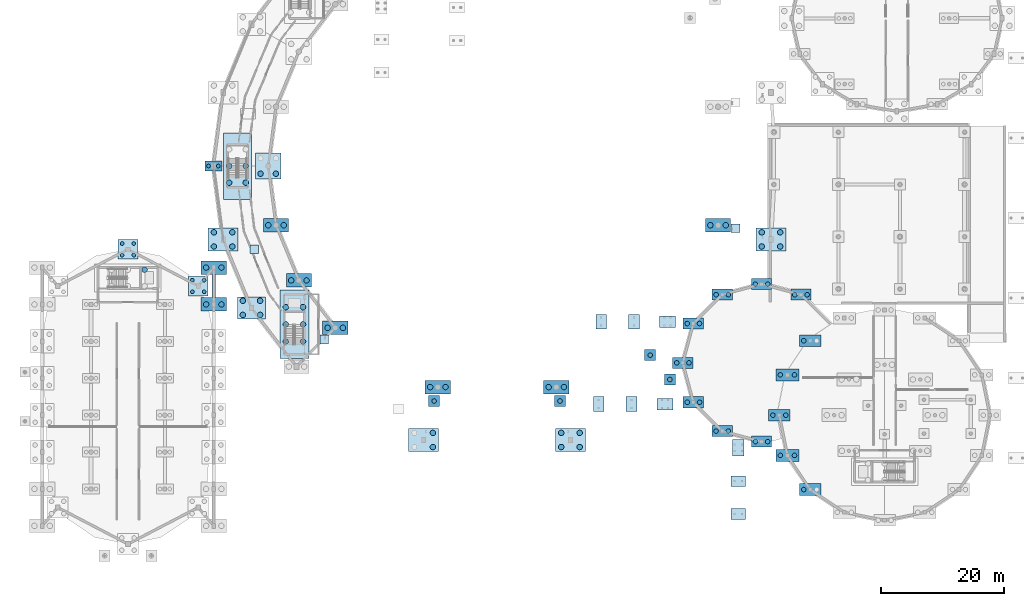
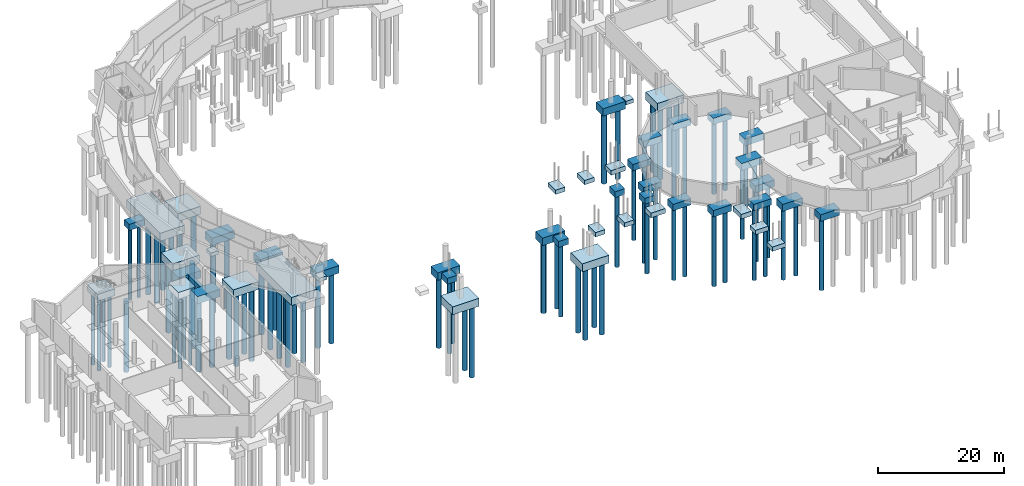
# One storey, part 2 of 43: 85 piles, 49 footings.
"""IFC4 building model written with IfcOpenShell, lengths in metres."""

from ifc_helpers import new_model, si_unit, direction, frame, origin, origin_2d, place, context, subcontext, project, spatial, rectangle, circle, extrude, material, material_profile, profile_set, type_object, element, save


model = new_model("IFC4")

# Units and contexts
model_context = context("Model", 3, precision=1e-05, world=origin(), true_north=direction((0.0, 1.0)))
body_context = subcontext(model_context, "Body", "Model", "MODEL_VIEW")
ifc_project = project(units=[si_unit("LENGTHUNIT", "METRE"), si_unit("AREAUNIT", "SQUARE_METRE"), si_unit("VOLUMEUNIT", "CUBIC_METRE"), si_unit("PLANEANGLEUNIT", "RADIAN"), si_unit("MASSUNIT", "GRAM", prefix="KILO")], contexts=[model_context])

# Site, building, storey
site_placement = place(None, origin())
site = spatial("IfcSite", under=ifc_project, at=site_placement, CompositionType="ELEMENT")
building_placement = place(site_placement, origin())
building = spatial("IfcBuilding", under=site, at=building_placement, Name="Vespera Passage Community Centre", CompositionType="ELEMENT")
storey_placement = place(building_placement, frame((0.0, 0.0, -4.199951171875)))
storey = spatial("IfcBuildingStorey", under=building, at=storey_placement, Name="B1", CompositionType="ELEMENT", Elevation=-4.199951171875)

# Footing
ifc_material_1 = material(Name="Concrete f'c 35 MPa", Category="concrete")
footing_type_1 = type_object("IfcFootingType", Name="FB-03", PredefinedType="FOOTING_BEAM", material=ifc_material_1)
footing_1_placement = place(storey_placement, frame((31.949951171875, 46.0, -0.89990234375), z_axis=(0.0, 0.0, 1.0), x_axis=(0.0, 1.0, 0.0)))
element("IfcFooting", 1, at=footing_1_placement, inside=storey, type_object=footing_type_1, Name="V1 E Wall Strip Footing 7", PredefinedType="FOOTING_BEAM", context=body_context, shape_type="SweptSolid", body=[
    extrude(rectangle(XDim=3.77001953125, YDim=0.60009765625, at=origin_2d()), origin(), (0.0, 0.0, 1.0), 0.89990234375),
])

# Piles
ifc_material_2 = material(Name="Concrete f'c 45 MPa", Category="concrete")
ifc_material_profile_1 = material_profile(ifc_material_2, circle(Radius=0.300048828125, at=origin_2d()), Name="PILE600DIA")
ifc_profile_set_1 = profile_set([ifc_material_profile_1], Name="Concrete f'c 45 MPa")
pile_type_1 = type_object("IfcPileType", Name="P-600", PredefinedType="BORED", material=ifc_profile_set_1)
for number, where, z_axis, x_axis, name in (
    (2, (28.477294921875, 45.051513671875, -1.199951171875), (0.0, 0.0, -1.0), (1.0, 0.0, 0.0), "Column V1-AN1 Bored Pile 1"),
    (3, (30.377197265625, 45.051513671875, -1.199951171875), (0.0, 0.0, -1.0), (1.0, 0.0, 0.0), "Column V1-AN1 Bored Pile 2"),
    (4, (28.477294921875, 46.951416015625, -1.199951171875), (0.0, 0.0, -1.0), (1.0, 0.0, 0.0), "Column V1-AN1 Bored Pile 3"),
    (5, (30.377197265625, 46.951416015625, -1.199951171875), (0.0, 0.0, -1.0), (1.0, 0.0, 0.0), "Column V1-AN1 Bored Pile 4"),
    (6, (17.050048828125, 51.0, -1.199951171875), (0.0, 0.0, -1.0), (1.0, 0.0, 0.0), "Column V1-AN2 Bored Pile 1"),
    (7, (18.949951171875, 51.0, -1.199951171875), (0.0, 0.0, -1.0), (1.0, 0.0, 0.0), "Column V1-AN2 Bored Pile 2"),
    (8, (17.050048828125, 52.89990234375, -1.199951171875), (0.0, 0.0, -1.0), (1.0, 0.0, 0.0), "Column V1-AN2 Bored Pile 3"),
    (9, (18.949951171875, 52.89990234375, -1.199951171875), (0.0, 0.0, -1.0), (1.0, 0.0, 0.0), "Column V1-AN2 Bored Pile 4"),
):
    element("IfcPile", number, at=place(storey_placement, frame(where, z_axis=z_axis, x_axis=x_axis)), inside=storey, type_object=pile_type_1, Name=name, PredefinedType="BORED", context=body_context, shape_type="SweptSolid", body=[
        extrude(circle(Radius=0.300048828125, at=origin_2d()), origin(), (0.0, 0.0, 1.0), 14.10009765625),
    ])
for number, where, z_axis, x_axis, name in (
    (10, (31.10009765625, 65.5, -1.10009765625), (0.0, 0.0, -1.0), (1.0, 0.0, 0.0), "Column V4-O12 Bored Pile 1"),
    (11, (32.699951171875, 65.5, -1.10009765625), (0.0, 0.0, -1.0), (1.0, 0.0, 0.0), "Column V4-O12 Bored Pile 2"),
):
    element("IfcPile", number, at=place(storey_placement, frame(where, z_axis=z_axis, x_axis=x_axis)), inside=storey, type_object=pile_type_1, Name=name, PredefinedType="BORED", context=body_context, shape_type="SweptSolid", body=[
        extrude(circle(Radius=0.300048828125, at=origin_2d()), origin(), (0.0, 0.0, 1.0), 14.199951171875),
    ])
ifc_material_3 = material(Name="Concrete f'c 45 MPa", Category="concrete")
ifc_material_profile_2 = material_profile(ifc_material_3, circle(Radius=0.375, at=origin_2d()), Name="PILE750DIA")
ifc_profile_set_2 = profile_set([ifc_material_profile_2], Name="Concrete f'c 45 MPa")
pile_type_2 = type_object("IfcPileType", Name="P-750", PredefinedType="BORED", material=ifc_profile_set_2)
pile_1_placement = place(storey_placement, frame((127.8583984375, 37.091552734375, -1.199951171875), z_axis=(0.0, 0.0, -1.0), x_axis=(1.0, 0.0, 0.0)))
element("IfcPile", 12, at=pile_1_placement, inside=storey, type_object=pile_type_2, Name="Column V3-P07 Bored Pile 1", PredefinedType="BORED", context=body_context, shape_type="SweptSolid", body=[
    extrude(circle(Radius=0.375, at=origin_2d()), origin(), (0.0, 0.0, 1.0), 14.10009765625),
])
for number, where, z_axis, x_axis, name in (
    (13, (124.0517578125, 31.5439453125, -1.25), (0.0, 0.0, -1.0), (1.0, 0.0, 0.0), "Column V3-P08 Bored Pile 1"),
    (14, (126.351806640625, 31.5439453125, -1.25), (0.0, 0.0, -1.0), (1.0, 0.0, 0.0), "Column V3-P08 Bored Pile 2"),
):
    element("IfcPile", number, at=place(storey_placement, frame(where, z_axis=z_axis, x_axis=x_axis)), inside=storey, type_object=pile_type_2, Name=name, PredefinedType="BORED", context=body_context, shape_type="SweptSolid", body=[
        extrude(circle(Radius=0.375, at=origin_2d()), origin(), (0.0, 0.0, 1.0), 14.050048828125),
    ])
for number, where, z_axis, x_axis, name in (
    (15, (122.85009765625, 25.0, -1.199951171875), (0.0, 0.0, -1.0), (1.0, 0.0, 0.0), "Column V3-P09 Bored Pile 1"),
    (16, (124.949951171875, 25.0, -1.199951171875), (0.0, 0.0, -1.0), (1.0, 0.0, 0.0), "Column V3-P09 Bored Pile 2"),
):
    element("IfcPile", number, at=place(storey_placement, frame(where, z_axis=z_axis, x_axis=x_axis)), inside=storey, type_object=pile_type_2, Name=name, PredefinedType="BORED", context=body_context, shape_type="SweptSolid", body=[
        extrude(circle(Radius=0.375, at=origin_2d()), origin(), (0.0, 0.0, 1.0), 14.10009765625),
    ])
for number, where, z_axis, x_axis, name in (
    (17, (124.0517578125, 18.4560546875, -1.25), (0.0, 0.0, -1.0), (1.0, 0.0, 0.0), "Column V3-P10 Bored Pile 1"),
    (18, (126.351806640625, 18.4560546875, -1.25), (0.0, 0.0, -1.0), (1.0, 0.0, 0.0), "Column V3-P10 Bored Pile 2"),
):
    element("IfcPile", number, at=place(storey_placement, frame(where, z_axis=z_axis, x_axis=x_axis)), inside=storey, type_object=pile_type_2, Name=name, PredefinedType="BORED", context=body_context, shape_type="SweptSolid", body=[
        extrude(circle(Radius=0.375, at=origin_2d()), origin(), (0.0, 0.0, 1.0), 14.050048828125),
    ])
pile_2_placement = place(storey_placement, frame((127.8583984375, 12.908447265625, -1.199951171875), z_axis=(0.0, 0.0, -1.0), x_axis=(1.0, 0.0, 0.0)))
element("IfcPile", 19, at=pile_2_placement, inside=storey, type_object=pile_type_2, Name="Column V3-P11 Bored Pile 1", PredefinedType="BORED", context=body_context, shape_type="SweptSolid", body=[
    extrude(circle(Radius=0.375, at=origin_2d()), origin(), (0.0, 0.0, 1.0), 14.10009765625),
])
for number, where, z_axis, x_axis, name in (
    (20, (67.763671875, 27.297607421875, -1.050048828125), (0.0, 0.0, -1.0), (1.0, 0.0, 0.0), "Column TRANC-I170 Bored Pile 1"),
    (21, (88.236328125, 27.297607421875, -1.050048828125), (0.0, 0.0, -1.0), (1.0, 0.0, 0.0), "Column TRANC-I190 Bored Pile 1"),
    (22, (102.8896484375, 34.763916015625, -1.050048828125), (0.0, 0.0, -1.0), (1.0, 0.0, 0.0), "Column TRANC-I206 Bored Pile 1"),
    (23, (106.09912109375, 30.80029296875, -1.050048828125), (0.0, 0.0, -1.0), (1.0, 0.0, 0.0), "Column TRANC-O206 Bored Pile 1"),
):
    element("IfcPile", number, at=place(storey_placement, frame(where, z_axis=z_axis, x_axis=x_axis)), inside=storey, type_object=pile_type_2, Name=name, PredefinedType="BORED", context=body_context, shape_type="SweptSolid", body=[
        extrude(circle(Radius=0.375, at=origin_2d()), origin(), (0.0, 0.0, 1.0), 14.25),
    ])
for number, where, z_axis, x_axis, name in (
    (24, (126.39990234375, 44.585205078125, -1.150146484375), (0.0, 0.0, -1.0), (1.0, 0.0, 0.0), "Column V3A-P03 Bored Pile 1"),
    (25, (128.39990234375, 44.585205078125, -1.150146484375), (0.0, 0.0, -1.0), (1.0, 0.0, 0.0), "Column V3A-P03 Bored Pile 2"),
    (26, (120.0, 46.300048828125, -1.150146484375), (0.0, 0.0, -1.0), (1.0, 0.0, 0.0), "Column V3A-P04 Bored Pile 1"),
    (27, (122.0, 46.300048828125, -1.150146484375), (0.0, 0.0, -1.0), (1.0, 0.0, 0.0), "Column V3A-P04 Bored Pile 2"),
    (28, (113.60009765625, 44.585205078125, -1.150146484375), (0.0, 0.0, -1.0), (1.0, 0.0, 0.0), "Column V3A-P05 Bored Pile 1"),
    (29, (115.60009765625, 44.585205078125, -1.150146484375), (0.0, 0.0, -1.0), (1.0, 0.0, 0.0), "Column V3A-P05 Bored Pile 2"),
    (30, (108.914794921875, 39.89990234375, -1.150146484375), (0.0, 0.0, -1.0), (1.0, 0.0, 0.0), "Column V3A-P06 Bored Pile 1"),
    (31, (110.914794921875, 39.89990234375, -1.150146484375), (0.0, 0.0, -1.0), (1.0, 0.0, 0.0), "Column V3A-P06 Bored Pile 2"),
    (32, (107.199951171875, 33.5, -1.150146484375), (0.0, 0.0, -1.0), (1.0, 0.0, 0.0), "Column V3A-P07 Bored Pile 1"),
    (33, (109.199951171875, 33.5, -1.150146484375), (0.0, 0.0, -1.0), (1.0, 0.0, 0.0), "Column V3A-P07 Bored Pile 2"),
    (34, (108.914794921875, 27.10009765625, -1.150146484375), (0.0, 0.0, -1.0), (1.0, 0.0, 0.0), "Column V3A-P08 Bored Pile 1"),
    (35, (110.914794921875, 27.10009765625, -1.150146484375), (0.0, 0.0, -1.0), (1.0, 0.0, 0.0), "Column V3A-P08 Bored Pile 2"),
    (36, (113.60009765625, 22.414794921875, -1.150146484375), (0.0, 0.0, -1.0), (1.0, 0.0, 0.0), "Column V3A-P09 Bored Pile 1"),
    (37, (115.60009765625, 22.414794921875, -1.150146484375), (0.0, 0.0, -1.0), (1.0, 0.0, 0.0), "Column V3A-P09 Bored Pile 2"),
    (38, (120.0, 20.699951171875, -1.150146484375), (0.0, 0.0, -1.0), (1.0, 0.0, 0.0), "Column V3A-P10 Bored Pile 1"),
    (39, (122.0, 20.699951171875, -1.150146484375), (0.0, 0.0, -1.0), (1.0, 0.0, 0.0), "Column V3A-P10 Bored Pile 2"),
):
    element("IfcPile", number, at=place(storey_placement, frame(where, z_axis=z_axis, x_axis=x_axis)), inside=storey, type_object=pile_type_2, Name=name, PredefinedType="BORED", context=body_context, shape_type="SweptSolid", body=[
        extrude(circle(Radius=0.375, at=origin_2d()), origin(), (0.0, 0.0, 1.0), 14.14990234375),
    ])
ifc_material_4 = material(Name="Concrete f'c 45 MPa", Category="concrete")
ifc_material_profile_3 = material_profile(ifc_material_4, circle(Radius=0.449951171875, at=origin_2d()), Name="PILE900DIA")
ifc_profile_set_3 = profile_set([ifc_material_profile_3], Name="Concrete f'c 45 MPa")
pile_type_3 = type_object("IfcPileType", Name="P-900", PredefinedType="BORED", material=ifc_profile_set_3)
for number, where, z_axis, x_axis, name in (
    (40, (37.14990234375, 62.800048828125, -1.449951171875), (0.0, 0.0, -1.0), (1.0, 0.0, 0.0), "Core C2 Bored Pile 1"),
    (41, (37.14990234375, 65.5, -1.449951171875), (0.0, 0.0, -1.0), (1.0, 0.0, 0.0), "Core C2 Bored Pile 2"),
    (42, (34.449951171875, 62.800048828125, -1.449951171875), (0.0, 0.0, -1.0), (1.0, 0.0, 0.0), "Core C2 Bored Pile 4"),
    (43, (34.449951171875, 65.5, -1.449951171875), (0.0, 0.0, -1.0), (1.0, 0.0, 0.0), "Core C2 Bored Pile 5"),
):
    element("IfcPile", number, at=place(storey_placement, frame(where, z_axis=z_axis, x_axis=x_axis)), inside=storey, type_object=pile_type_3, Name=name, PredefinedType="BORED", context=body_context, shape_type="SweptSolid", body=[
        extrude(circle(Radius=0.449951171875, at=origin_2d()), origin(), (0.0, 0.0, 1.0), 13.85009765625),
    ])
for number, where, z_axis, x_axis, name in (
    (44, (46.4609375, 36.965087890625, -1.5), (0.0, 0.0, -1.0), (1.0, 0.0, 0.0), "Core C3 Bored Pile 1"),
    (45, (46.4609375, 39.764892578125, -1.5), (0.0, 0.0, -1.0), (1.0, 0.0, 0.0), "Core C3 Bored Pile 2"),
    (46, (46.4609375, 42.56494140625, -1.5), (0.0, 0.0, -1.0), (1.0, 0.0, 0.0), "Core C3 Bored Pile 3"),
    (47, (43.660888671875, 36.965087890625, -1.5), (0.0, 0.0, -1.0), (1.0, 0.0, 0.0), "Core C3 Bored Pile 4"),
    (48, (43.660888671875, 39.764892578125, -1.5), (0.0, 0.0, -1.0), (1.0, 0.0, 0.0), "Core C3 Bored Pile 5"),
    (49, (43.660888671875, 42.56494140625, -1.5), (0.0, 0.0, -1.0), (1.0, 0.0, 0.0), "Core C3 Bored Pile 6"),
):
    element("IfcPile", number, at=place(storey_placement, frame(where, z_axis=z_axis, x_axis=x_axis)), inside=storey, type_object=pile_type_3, Name=name, PredefinedType="BORED", context=body_context, shape_type="SweptSolid", body=[
        extrude(circle(Radius=0.449951171875, at=origin_2d()), origin(), (0.0, 0.0, 1.0), 13.800048828125),
    ])
pile_3_placement = place(storey_placement, frame((20.699951171875, 48.64990234375, -1.449951171875), z_axis=(0.0, 0.0, -1.0), x_axis=(1.0, 0.0, 0.0)))
element("IfcPile", 50, at=pile_3_placement, inside=storey, type_object=pile_type_3, Name="Core C5 Bored Pile 6", PredefinedType="BORED", context=body_context, shape_type="SweptSolid", body=[
    extrude(circle(Radius=0.449951171875, at=origin_2d()), origin(), (0.0, 0.0, 1.0), 13.85009765625),
])
for number, where, z_axis, x_axis, name in (
    (51, (30.699951171875, 43.0, -1.35009765625), (0.0, 0.0, -1.0), (1.0, 0.0, 0.0), "Column V1-E7 Bored Pile 1"),
    (52, (33.199951171875, 43.0, -1.35009765625), (0.0, 0.0, -1.0), (1.0, 0.0, 0.0), "Column V1-E7 Bored Pile 2"),
    (53, (30.699951171875, 49.0, -1.35009765625), (0.0, 0.0, -1.0), (1.0, 0.0, 0.0), "Column V1-E8 Bored Pile 1"),
    (54, (33.199951171875, 49.0, -1.35009765625), (0.0, 0.0, -1.0), (1.0, 0.0, 0.0), "Column V1-E8 Bored Pile 2"),
):
    element("IfcPile", number, at=place(storey_placement, frame(where, z_axis=z_axis, x_axis=x_axis)), inside=storey, type_object=pile_type_3, Name=name, PredefinedType="BORED", context=body_context, shape_type="SweptSolid", body=[
        extrude(circle(Radius=0.449951171875, at=origin_2d()), origin(), (0.0, 0.0, 1.0), 13.949951171875),
    ])
for number, where, z_axis, x_axis, name in (
    (55, (39.550048828125, 64.25, -1.449951171875), (0.0, 0.0, -1.0), (1.0, 0.0, 0.0), "Column V4-I12 Bored Pile 1"),
    (56, (42.050048828125, 64.25, -1.449951171875), (0.0, 0.0, -1.0), (1.0, 0.0, 0.0), "Column V4-I12 Bored Pile 2"),
):
    element("IfcPile", number, at=place(storey_placement, frame(where, z_axis=z_axis, x_axis=x_axis)), inside=storey, type_object=pile_type_3, Name=name, PredefinedType="BORED", context=body_context, shape_type="SweptSolid", body=[
        extrude(circle(Radius=0.449951171875, at=origin_2d()), origin(), (0.0, 0.0, 1.0), 13.85009765625),
    ])
for number, where, z_axis, x_axis, name in (
    (57, (40.817626953125, 55.871826171875, -1.35009765625), (0.0, 0.0, -1.0), (1.0, 0.0, 0.0), "Column V4-I13 Bored Pile 1"),
    (58, (43.317626953125, 55.871826171875, -1.35009765625), (0.0, 0.0, -1.0), (1.0, 0.0, 0.0), "Column V4-I13 Bored Pile 2"),
    (59, (44.533935546875, 46.89990234375, -1.35009765625), (0.0, 0.0, -1.0), (1.0, 0.0, 0.0), "Column V4-I14 Bored Pile 1"),
    (60, (47.033935546875, 46.89990234375, -1.35009765625), (0.0, 0.0, -1.0), (1.0, 0.0, 0.0), "Column V4-I14 Bored Pile 2"),
    (61, (50.445556640625, 39.195556640625, -1.35009765625), (0.0, 0.0, -1.0), (1.0, 0.0, 0.0), "Column V4-I15 Bored Pile 1"),
    (62, (52.945556640625, 39.195556640625, -1.35009765625), (0.0, 0.0, -1.0), (1.0, 0.0, 0.0), "Column V4-I15 Bored Pile 2"),
    (63, (67.121826171875, 29.567626953125, -1.35009765625), (0.0, 0.0, -1.0), (1.0, 0.0, 0.0), "Column V4-I17 Bored Pile 1"),
    (64, (69.621826171875, 29.567626953125, -1.35009765625), (0.0, 0.0, -1.0), (1.0, 0.0, 0.0), "Column V4-I17 Bored Pile 2"),
    (65, (86.378173828125, 29.567626953125, -1.35009765625), (0.0, 0.0, -1.0), (1.0, 0.0, 0.0), "Column V4-I19 Bored Pile 1"),
    (66, (88.878173828125, 29.567626953125, -1.35009765625), (0.0, 0.0, -1.0), (1.0, 0.0, 0.0), "Column V4-I19 Bored Pile 2"),
    (67, (112.682373046875, 55.871826171875, -1.35009765625), (0.0, 0.0, -1.0), (1.0, 0.0, 0.0), "Column V4-I23 Bored Pile 1"),
    (68, (115.182373046875, 55.871826171875, -1.35009765625), (0.0, 0.0, -1.0), (1.0, 0.0, 0.0), "Column V4-I23 Bored Pile 2"),
):
    element("IfcPile", number, at=place(storey_placement, frame(where, z_axis=z_axis, x_axis=x_axis)), inside=storey, type_object=pile_type_3, Name=name, PredefinedType="BORED", context=body_context, shape_type="SweptSolid", body=[
        extrude(circle(Radius=0.449951171875, at=origin_2d()), origin(), (0.0, 0.0, 1.0), 13.949951171875),
    ])
for number, where, z_axis, x_axis, name in (
    (69, (31.970703125, 52.41845703125, -1.449951171875), (0.0, 0.0, -1.0), (1.0, 0.0, 0.0), "Column V4-O13 Bored Pile 1"),
    (70, (34.970703125, 52.41845703125, -1.449951171875), (0.0, 0.0, -1.0), (1.0, 0.0, 0.0), "Column V4-O13 Bored Pile 2"),
    (71, (31.970703125, 54.718505859375, -1.449951171875), (0.0, 0.0, -1.0), (1.0, 0.0, 0.0), "Column V4-O13 Bored Pile 3"),
    (72, (34.970703125, 54.718505859375, -1.449951171875), (0.0, 0.0, -1.0), (1.0, 0.0, 0.0), "Column V4-O13 Bored Pile 4"),
):
    element("IfcPile", number, at=place(storey_placement, frame(where, z_axis=z_axis, x_axis=x_axis)), inside=storey, type_object=pile_type_3, Name=name, PredefinedType="BORED", context=body_context, shape_type="SweptSolid", body=[
        extrude(circle(Radius=0.449951171875, at=origin_2d()), origin(), (0.0, 0.0, 1.0), 13.85009765625),
    ])
for number, where, z_axis, x_axis, name in (
    (73, (36.67626953125, 41.300048828125, -1.400146484375), (0.0, 0.0, -1.0), (1.0, 0.0, 0.0), "Column V4-O14 Bored Pile 1"),
    (74, (39.476318359375, 41.300048828125, -1.400146484375), (0.0, 0.0, -1.0), (1.0, 0.0, 0.0), "Column V4-O14 Bored Pile 2"),
    (75, (36.67626953125, 43.60009765625, -1.400146484375), (0.0, 0.0, -1.0), (1.0, 0.0, 0.0), "Column V4-O14 Bored Pile 3"),
    (76, (39.476318359375, 43.60009765625, -1.400146484375), (0.0, 0.0, -1.0), (1.0, 0.0, 0.0), "Column V4-O14 Bored Pile 4"),
):
    element("IfcPile", number, at=place(storey_placement, frame(where, z_axis=z_axis, x_axis=x_axis)), inside=storey, type_object=pile_type_3, Name=name, PredefinedType="BORED", context=body_context, shape_type="SweptSolid", body=[
        extrude(circle(Radius=0.449951171875, at=origin_2d()), origin(), (0.0, 0.0, 1.0), 13.89990234375),
    ])
for number, where, z_axis, x_axis, name in (
    (77, (67.568359375, 19.82080078125, -1.449951171875), (0.0, 0.0, -1.0), (1.0, 0.0, 0.0), "Column V4-O17 Bored Pile 2"),
    (78, (67.568359375, 22.120849609375, -1.449951171875), (0.0, 0.0, -1.0), (1.0, 0.0, 0.0), "Column V4-O17 Bored Pile 4"),
    (79, (88.431640625, 19.82080078125, -1.449951171875), (0.0, 0.0, -1.0), (1.0, 0.0, 0.0), "Column V4-O19 Bored Pile 1"),
    (80, (91.431640625, 19.82080078125, -1.449951171875), (0.0, 0.0, -1.0), (1.0, 0.0, 0.0), "Column V4-O19 Bored Pile 2"),
    (81, (88.431640625, 22.120849609375, -1.449951171875), (0.0, 0.0, -1.0), (1.0, 0.0, 0.0), "Column V4-O19 Bored Pile 3"),
    (82, (91.431640625, 22.120849609375, -1.449951171875), (0.0, 0.0, -1.0), (1.0, 0.0, 0.0), "Column V4-O19 Bored Pile 4"),
    (83, (121.029296875, 52.41845703125, -1.449951171875), (0.0, 0.0, -1.0), (1.0, 0.0, 0.0), "Column V4-O23 Bored Pile 1"),
    (84, (124.029296875, 52.41845703125, -1.449951171875), (0.0, 0.0, -1.0), (1.0, 0.0, 0.0), "Column V4-O23 Bored Pile 2"),
    (85, (121.029296875, 54.718505859375, -1.449951171875), (0.0, 0.0, -1.0), (1.0, 0.0, 0.0), "Column V4-O23 Bored Pile 3"),
    (86, (124.029296875, 54.718505859375, -1.449951171875), (0.0, 0.0, -1.0), (1.0, 0.0, 0.0), "Column V4-O23 Bored Pile 4"),
):
    element("IfcPile", number, at=place(storey_placement, frame(where, z_axis=z_axis, x_axis=x_axis)), inside=storey, type_object=pile_type_3, Name=name, PredefinedType="BORED", context=body_context, shape_type="SweptSolid", body=[
        extrude(circle(Radius=0.449951171875, at=origin_2d()), origin(), (0.0, 0.0, 1.0), 13.85009765625),
    ])

# Footings
ifc_material_5 = material(Name="Concrete f'c 35 MPa", Category="concrete")
footing_type_2 = type_object("IfcFootingType", Name="PC-02", PredefinedType="PILE_CAP", material=ifc_material_5)
for number, where, z_axis, x_axis, name in (
    (87, (67.763671875, 27.297607421875, -1.14990234375), (0.0, 0.0, 1.0), (1.0, 0.0, 0.0), "Column TRANC-I170 Pile Cap"),
    (88, (88.236328125, 27.297607421875, -1.14990234375), (0.0, 0.0, 1.0), (1.0, 0.0, 0.0), "Column TRANC-I190 Pile Cap"),
    (89, (102.8896484375, 34.763916015625, -1.14990234375), (0.0, 0.0, 1.0), (1.0, 0.0, 0.0), "Column TRANC-I206 Pile Cap"),
    (90, (106.09912109375, 30.80029296875, -1.14990234375), (0.0, 0.0, 1.0), (1.0, 0.0, 0.0), "Column TRANC-O206 Pile Cap"),
):
    element("IfcFooting", number, at=place(storey_placement, frame(where, z_axis=z_axis, x_axis=x_axis)), inside=storey, type_object=footing_type_2, Name=name, PredefinedType="PILE_CAP", context=body_context, shape_type="SweptSolid", body=[
        extrude(rectangle(XDim=1.800048828125, YDim=1.800048828125, at=origin_2d()), origin(), (0.0, 0.0, 1.0), 1.14990234375),
    ])
ifc_material_6 = material(Name="Concrete f'c 35 MPa", Category="concrete")
footing_type_3 = type_object("IfcFootingType", Name="PC-04", PredefinedType="PILE_CAP", material=ifc_material_6)
footing_2_placement = place(storey_placement, frame((31.89990234375, 65.5, -1.2001953125), z_axis=(0.0, 0.0, 1.0), x_axis=(1.0, 0.0, 0.0)))
element("IfcFooting", 91, at=footing_2_placement, inside=storey, type_object=footing_type_3, Name="Column V4-O12 Pile Cap", PredefinedType="PILE_CAP", context=body_context, shape_type="SweptSolid", body=[
    extrude(rectangle(XDim=2.800048828125, YDim=1.60009765625, at=origin_2d()), origin(), (0.0, 0.0, 1.0), 1.199951171875),
])
ifc_material_7 = material(Name="Concrete f'c 35 MPa", Category="concrete")
footing_type_4 = type_object("IfcFootingType", Name="PC-06", PredefinedType="PILE_CAP", material=ifc_material_7)
for number, where, z_axis, x_axis, name in (
    (92, (127.39990234375, 44.585205078125, -1.25), (0.0, 0.0, 1.0), (1.0, 0.0, 0.0), "Column V3A-P03 Pile Cap"),
    (93, (121.0, 46.300048828125, -1.25), (0.0, 0.0, 1.0), (1.0, 0.0, 0.0), "Column V3A-P04 Pile Cap"),
    (94, (114.60009765625, 44.585205078125, -1.25), (0.0, 0.0, 1.0), (1.0, 0.0, 0.0), "Column V3A-P05 Pile Cap"),
    (95, (109.914794921875, 39.89990234375, -1.25), (0.0, 0.0, 1.0), (1.0, 0.0, 0.0), "Column V3A-P06 Pile Cap"),
    (96, (108.199951171875, 33.5, -1.25), (0.0, 0.0, 1.0), (1.0, 0.0, 0.0), "Column V3A-P07 Pile Cap"),
    (97, (109.914794921875, 27.10009765625, -1.25), (0.0, 0.0, 1.0), (1.0, 0.0, 0.0), "Column V3A-P08 Pile Cap"),
    (98, (114.60009765625, 22.414794921875, -1.25), (0.0, 0.0, 1.0), (1.0, 0.0, 0.0), "Column V3A-P09 Pile Cap"),
    (99, (121.0, 20.699951171875, -1.25), (0.0, 0.0, 1.0), (1.0, 0.0, 0.0), "Column V3A-P10 Pile Cap"),
):
    element("IfcFooting", number, at=place(storey_placement, frame(where, z_axis=z_axis, x_axis=x_axis)), inside=storey, type_object=footing_type_4, Name=name, PredefinedType="PILE_CAP", context=body_context, shape_type="SweptSolid", body=[
        extrude(rectangle(XDim=3.300048828125, YDim=1.800048828125, at=origin_2d()), origin(), (0.0, 0.0, 1.0), 1.25),
    ])
ifc_material_8 = material(Name="Concrete f'c 35 MPa", Category="concrete")
footing_type_5 = type_object("IfcFootingType", Name="PC-07", PredefinedType="PILE_CAP", material=ifc_material_8)
for number, where, z_axis, x_axis, name in (
    (100, (128.908447265625, 37.091552734375, -1.30029296875), (0.0, 0.0, 1.0), (1.0, 0.0, 0.0), "Column V3-P07 Pile Cap"),
    (101, (123.89990234375, 25.0, -1.30029296875), (0.0, 0.0, 1.0), (1.0, 0.0, 0.0), "Column V3-P09 Pile Cap"),
    (102, (128.908447265625, 12.908447265625, -1.30029296875), (0.0, 0.0, 1.0), (1.0, 0.0, 0.0), "Column V3-P11 Pile Cap"),
):
    element("IfcFooting", number, at=place(storey_placement, frame(where, z_axis=z_axis, x_axis=x_axis)), inside=storey, type_object=footing_type_5, Name=name, PredefinedType="PILE_CAP", context=body_context, shape_type="SweptSolid", body=[
        extrude(rectangle(XDim=3.5, YDim=1.89990234375, at=origin_2d()), origin(), (0.0, 0.0, 1.0), 1.300048828125),
    ])
ifc_material_9 = material(Name="Concrete f'c 35 MPa", Category="concrete")
footing_type_6 = type_object("IfcFootingType", Name="PC-08", PredefinedType="PILE_CAP", material=ifc_material_9)
for number, where, z_axis, x_axis, name in (
    (103, (125.20166015625, 31.5439453125, -1.35009765625), (0.0, 0.0, 1.0), (1.0, 0.0, 0.0), "Column V3-P08 Pile Cap"),
    (104, (125.20166015625, 18.4560546875, -1.35009765625), (0.0, 0.0, 1.0), (1.0, 0.0, 0.0), "Column V3-P10 Pile Cap"),
):
    element("IfcFooting", number, at=place(storey_placement, frame(where, z_axis=z_axis, x_axis=x_axis)), inside=storey, type_object=footing_type_6, Name=name, PredefinedType="PILE_CAP", context=body_context, shape_type="SweptSolid", body=[
        extrude(rectangle(XDim=3.699951171875, YDim=2.0, at=origin_2d()), origin(), (0.0, 0.0, 1.0), 1.35009765625),
    ])
ifc_material_10 = material(Name="Concrete f'c 35 MPa", Category="concrete")
footing_type_7 = type_object("IfcFootingType", Name="PC-10", PredefinedType="PILE_CAP", material=ifc_material_10)
for number, where, z_axis, x_axis, name in (
    (105, (31.949951171875, 43.0, -1.4501953125), (0.0, 0.0, 1.0), (1.0, 0.0, 0.0), "Column V1-E7 Pile Cap"),
    (106, (31.949951171875, 49.0, -1.4501953125), (0.0, 0.0, 1.0), (1.0, 0.0, 0.0), "Column V1-E8 Pile Cap"),
    (107, (42.067626953125, 55.871826171875, -1.4501953125), (0.0, 0.0, 1.0), (1.0, 0.0, 0.0), "Column V4-I13 Pile Cap"),
    (108, (45.783935546875, 46.89990234375, -1.4501953125), (0.0, 0.0, 1.0), (1.0, 0.0, 0.0), "Column V4-I14 Pile Cap"),
    (109, (51.695556640625, 39.195556640625, -1.4501953125), (0.0, 0.0, 1.0), (1.0, 0.0, 0.0), "Column V4-I15 Pile Cap"),
    (110, (68.371826171875, 29.567626953125, -1.4501953125), (0.0, 0.0, 1.0), (1.0, 0.0, 0.0), "Column V4-I17 Pile Cap"),
    (111, (87.628173828125, 29.567626953125, -1.4501953125), (0.0, 0.0, 1.0), (1.0, 0.0, 0.0), "Column V4-I19 Pile Cap"),
    (112, (113.932373046875, 55.871826171875, -1.4501953125), (0.0, 0.0, 1.0), (1.0, 0.0, 0.0), "Column V4-I23 Pile Cap"),
):
    element("IfcFooting", number, at=place(storey_placement, frame(where, z_axis=z_axis, x_axis=x_axis)), inside=storey, type_object=footing_type_7, Name=name, PredefinedType="PILE_CAP", context=body_context, shape_type="SweptSolid", body=[
        extrude(rectangle(XDim=4.10009765625, YDim=2.199951171875, at=origin_2d()), origin(), (0.0, 0.0, 1.0), 1.449951171875),
    ])
ifc_material_11 = material(Name="Concrete f'c 35 MPa", Category="concrete")
footing_type_8 = type_object("IfcFootingType", Name="PC-11", PredefinedType="PILE_CAP", material=ifc_material_11)
for number, where, z_axis, x_axis, name in (
    (113, (29.42724609375, 46.00146484375, -1.30029296875), (0.0, 0.0, 1.0), (1.0, 0.0, 0.0), "Column V1-AN1 Pile Cap"),
    (114, (18.0, 51.949951171875, -1.30029296875), (0.0, 0.0, 1.0), (1.0, 0.0, 0.0), "Column V1-AN2 Pile Cap"),
):
    element("IfcFooting", number, at=place(storey_placement, frame(where, z_axis=z_axis, x_axis=x_axis)), inside=storey, type_object=footing_type_8, Name=name, PredefinedType="PILE_CAP", context=body_context, shape_type="SweptSolid", body=[
        extrude(rectangle(XDim=3.199951171875, YDim=3.199951171875, at=origin_2d()), origin(), (0.0, 0.0, 1.0), 1.300048828125),
    ])
ifc_material_12 = material(Name="Concrete f'c 35 MPa", Category="concrete")
footing_type_9 = type_object("IfcFootingType", Name="PC-16", PredefinedType="PILE_CAP", material=ifc_material_12)
footing_3_placement = place(storey_placement, frame((40.800048828125, 65.5, -1.55029296875), z_axis=(0.0, 0.0, 1.0), x_axis=(1.0, 0.0, 0.0)))
element("IfcFooting", 115, at=footing_3_placement, inside=storey, type_object=footing_type_9, Name="Column V4-I12 Pile Cap", PredefinedType="PILE_CAP", context=body_context, shape_type="SweptSolid", body=[
    extrude(rectangle(XDim=4.199951171875, YDim=4.199951171875, at=origin_2d()), origin(), (0.0, 0.0, 1.0), 1.550048828125),
])
ifc_material_13 = material(Name="Concrete f'c 35 MPa", Category="concrete")
footing_type_10 = type_object("IfcFootingType", Name="PC-18", PredefinedType="PILE_CAP", material=ifc_material_13)
footing_4_placement = place(storey_placement, frame((38.076171875, 42.449951171875, -1.5), z_axis=(0.0, 0.0, 1.0), x_axis=(1.0, 0.0, 0.0)))
element("IfcFooting", 116, at=footing_4_placement, inside=storey, type_object=footing_type_10, Name="Column V4-O14 Pile Cap", PredefinedType="PILE_CAP", context=body_context, shape_type="SweptSolid", body=[
    extrude(rectangle(XDim=4.60009765625, YDim=3.60009765625, at=origin_2d()), origin(), (0.0, 0.0, 1.0), 1.5),
])
ifc_material_14 = material(Name="Concrete f'c 35 MPa", Category="concrete")
footing_type_11 = type_object("IfcFootingType", Name="PC-19", PredefinedType="PILE_CAP", material=ifc_material_14)
for number, where, z_axis, x_axis, name in (
    (117, (33.470703125, 53.568359375, -1.55029296875), (0.0, 0.0, 1.0), (1.0, 0.0, 0.0), "Column V4-O13 Pile Cap"),
    (118, (66.068359375, 20.970703125, -1.55029296875), (0.0, 0.0, 1.0), (1.0, 0.0, 0.0), "Column V4-O17 Pile Cap"),
    (119, (89.931640625, 20.970703125, -1.55029296875), (0.0, 0.0, 1.0), (1.0, 0.0, 0.0), "Column V4-O19 Pile Cap"),
    (120, (122.529296875, 53.568359375, -1.55029296875), (0.0, 0.0, 1.0), (1.0, 0.0, 0.0), "Column V4-O23 Pile Cap"),
):
    element("IfcFooting", number, at=place(storey_placement, frame(where, z_axis=z_axis, x_axis=x_axis)), inside=storey, type_object=footing_type_11, Name=name, PredefinedType="PILE_CAP", context=body_context, shape_type="SweptSolid", body=[
        extrude(rectangle(XDim=4.89990234375, YDim=3.699951171875, at=origin_2d()), origin(), (0.0, 0.0, 1.0), 1.550048828125),
    ])
ifc_material_15 = material(Name="Concrete f'c 35 MPa", Category="concrete")
footing_type_12 = type_object("IfcFootingType", Name="PC-22", PredefinedType="PILE_CAP", material=ifc_material_15)
footing_5_placement = place(storey_placement, frame((35.800048828125, 65.5, -1.55029296875), z_axis=(0.0, 0.0, 1.0), x_axis=(0.0, 1.0, 0.0)))
element("IfcFooting", 121, at=footing_5_placement, inside=storey, type_object=footing_type_12, Name="Core C2 Pile Cap", PredefinedType="PILE_CAP", context=body_context, shape_type="SweptSolid", body=[
    extrude(rectangle(XDim=10.800048828125, YDim=4.5, at=origin_2d()), origin(), (0.0, 0.0, 1.0), 1.550048828125),
])
ifc_material_16 = material(Name="Concrete f'c 35 MPa", Category="concrete")
footing_type_13 = type_object("IfcFootingType", Name="PC-23", PredefinedType="PILE_CAP", material=ifc_material_16)
footing_6_placement = place(storey_placement, frame((45.06103515625, 39.764892578125, -1.60009765625), z_axis=(0.0, 0.0, 1.0), x_axis=(0.0, 1.0, 0.0)))
element("IfcFooting", 122, at=footing_6_placement, inside=storey, type_object=footing_type_13, Name="Core C3 Pile Cap", PredefinedType="PILE_CAP", context=body_context, shape_type="SweptSolid", body=[
    extrude(rectangle(XDim=11.10009765625, YDim=4.699951171875, at=origin_2d()), origin(), (0.0, 0.0, 1.0), 1.60009765625),
])
ifc_material_17 = material(Name="Concrete f'c 35 MPa", Category="concrete")
footing_type_14 = type_object("IfcFootingType", Name="PF-01", PredefinedType="PAD_FOOTING", material=ifc_material_17)
for number, where, z_axis, x_axis, name in (
    (123, (49.90380859375, 37.30859375, -0.7001953125), (0.0, 0.0, 1.0), (1.0, 0.0, 0.0), "Column TRANC-I150 Pad Footing"),
    (124, (116.7626953125, 55.413818359375, -0.7001953125), (0.0, 0.0, 1.0), (1.0, 0.0, 0.0), "Column TRANC-I230 Pad Footing"),
    (125, (38.5, 52.0, -0.7001953125), (0.0, 0.0, 1.0), (1.0, 0.0, 0.0), "B1 Equipment Pad Footing 4"),
):
    element("IfcFooting", number, at=place(storey_placement, frame(where, z_axis=z_axis, x_axis=x_axis)), inside=storey, type_object=footing_type_14, Name=name, PredefinedType="PAD_FOOTING", context=body_context, shape_type="SweptSolid", body=[
        extrude(rectangle(XDim=1.39990234375, YDim=1.39990234375, at=origin_2d()), origin(), (0.0, 0.0, 1.0), 0.699951171875),
    ])
ifc_material_18 = material(Name="Concrete f'c 35 MPa", Category="concrete")
footing_type_15 = type_object("IfcFootingType", Name="PF-05", PredefinedType="PAD_FOOTING", material=ifc_material_18)
for number, where, z_axis, x_axis, name in (
    (126, (94.52490234375, 26.800048828125, -0.85009765625), (0.0, 0.0, 1.0), (0.0, 1.0, 0.0), "ST-CRT-01 B Combined Pad Footing"),
    (127, (99.875, 26.800048828125, -0.85009765625), (0.0, 0.0, 1.0), (0.0, 1.0, 0.0), "ST-CRT-01 M Combined Pad Footing"),
    (128, (94.925048828125, 40.199951171875, -0.85009765625), (0.0, 0.0, 1.0), (0.0, 1.0, 0.0), "ST-CRT-02 B Combined Pad Footing"),
    (129, (100.27490234375, 40.199951171875, -0.85009765625), (0.0, 0.0, 1.0), (0.0, 1.0, 0.0), "ST-CRT-02 M Combined Pad Footing"),
    (130, (117.199951171875, 8.925048828125, -0.85009765625), (0.0, 0.0, 1.0), (-1.0, 0.0, 0.0), "ST-CRT-05 B Combined Pad Footing"),
    (131, (117.199951171875, 14.27490234375, -0.85009765625), (0.0, 0.0, 1.0), (-1.0, 0.0, 0.0), "ST-CRT-05 M Combined Pad Footing"),
):
    element("IfcFooting", number, at=place(storey_placement, frame(where, z_axis=z_axis, x_axis=x_axis)), inside=storey, type_object=footing_type_15, Name=name, PredefinedType="PAD_FOOTING", context=body_context, shape_type="SweptSolid", body=[
        extrude(rectangle(XDim=2.39990234375, YDim=1.75, at=origin_2d()), origin(), (0.0, 0.0, 1.0), 0.85009765625),
    ])
ifc_material_19 = material(Name="Concrete f'c 35 MPa", Category="concrete")
footing_type_16 = type_object("IfcFootingType", Name="PF-06", PredefinedType="PAD_FOOTING", material=ifc_material_19)
for number, where, z_axis, x_axis, name in (
    (132, (105.300048828125, 26.800048828125, -0.89990234375), (0.0, 0.0, 1.0), (1.0, 0.0, 0.0), "ST-CRT-01 T Combined Pad Footing"),
    (133, (105.699951171875, 40.199951171875, -0.89990234375), (0.0, 0.0, 1.0), (1.0, 0.0, 0.0), "ST-CRT-02 T Combined Pad Footing"),
    (134, (117.199951171875, 19.699951171875, -0.89990234375), (0.0, 0.0, 1.0), (0.0, 1.0, 0.0), "ST-CRT-05 T Combined Pad Footing"),
):
    element("IfcFooting", number, at=place(storey_placement, frame(where, z_axis=z_axis, x_axis=x_axis)), inside=storey, type_object=footing_type_16, Name=name, PredefinedType="PAD_FOOTING", context=body_context, shape_type="SweptSolid", body=[
        extrude(rectangle(XDim=2.64990234375, YDim=1.89990234375, at=origin_2d()), origin(), (0.0, 0.0, 1.0), 0.89990234375),
    ])

save(model, "model.ifc")
